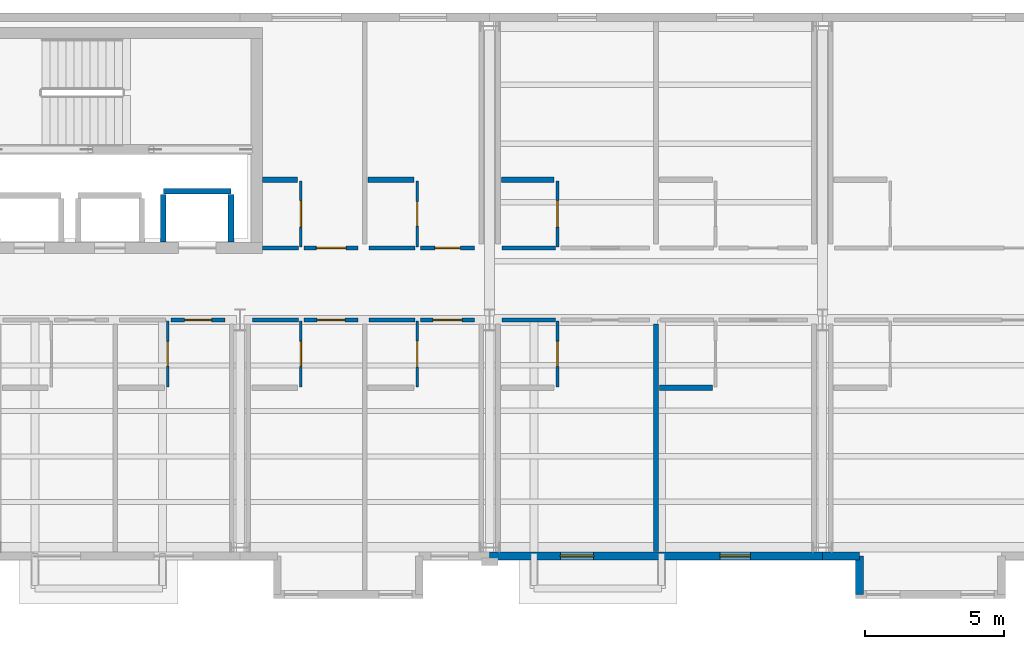
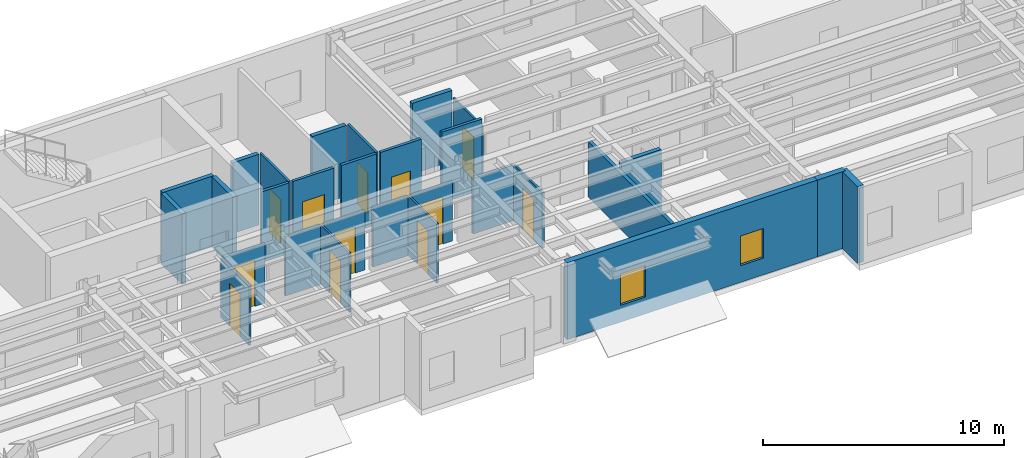
# One storey, part 30 of 46: 29 walls, 12 doors, 2 windows, 14 openings.
"""IFC4 building model written with IfcOpenShell, lengths in metres."""

from ifc_helpers import new_model, si_unit, direction, frame, frame_2d, origin, place, context, subcontext, project, spatial, rectangle, extrude, material, layer, layer_set, type_object, element, fill, save


model = new_model("IFC4")

# Units and contexts
model_context = context("Model", 3, precision=1e-05, world=origin(), true_north=direction((0.0, 1.0)))
body_context = subcontext(model_context, "Body", "Model", "MODEL_VIEW")
ifc_project = project(units=[si_unit("LENGTHUNIT", "METRE"), si_unit("AREAUNIT", "SQUARE_METRE"), si_unit("VOLUMEUNIT", "CUBIC_METRE"), si_unit("PLANEANGLEUNIT", "RADIAN"), si_unit("MASSUNIT", "GRAM", prefix="KILO")], contexts=[model_context])

# Site, building, storey
site_placement = place(None, origin())
site = spatial("IfcSite", under=ifc_project, at=site_placement, CompositionType="ELEMENT")
building_placement = place(site_placement, origin())
building = spatial("IfcBuilding", under=site, at=building_placement, Name="Sollismere Congress Hotel", CompositionType="ELEMENT")
storey_placement = place(building_placement, frame((0.0, 0.0, 19.5)))
storey = spatial("IfcBuildingStorey", under=building, at=storey_placement, Name="L04", CompositionType="ELEMENT", Elevation=19.5)

# Wall, openings, windows
ifc_material_1 = material(Name="Colorado Buff Sandstone Rainscreen on Insulated Backup", Category="masonry")
ifc_layer_1 = layer(ifc_material_1, 0.284912109375, Name="Colorado Buff Sandstone Rainscreen on Insulated Backup")
ifc_layer_set_1 = layer_set([ifc_layer_1], Name="Colorado Buff Sandstone Rainscreen on Insulated Backup")
wall_type_1 = type_object("IfcWallType", Name="WL-EXT285", PredefinedType="STANDARD", material=ifc_layer_set_1)
wall_1_placement = place(storey_placement, frame((112.0, -0.31005859375, 0.0), z_axis=(0.0, 0.0, 1.0), x_axis=(1.0, 0.0, 0.0)))
wall_1 = element("IfcWall", 1, at=wall_1_placement, inside=storey, type_object=wall_type_1, Name="Exterior wall EW-L04-503", PredefinedType="STANDARD", context=body_context, shape_type="SweptSolid", body=[
    extrude(rectangle(XDim=12.0, YDim=0.284912109375, at=frame_2d((6.0, 0.0))), origin(), (0.0, 0.0, 1.0), 3.89990234375),
])
opening_1_placement = place(wall_1_placement, frame((2.550048828125, 0.0, 0.85009765625)))
opening_1 = element("IfcOpeningElement", 2, at=opening_1_placement, cuts=wall_1, Name="Opening W-L04-385", PredefinedType="OPENING", context=body_context, shape_type="SweptSolid", body=[
    extrude(rectangle(XDim=1.199951171875, YDim=1.60009765625, at=frame_2d((0.60009765625, 0.800048828125))), frame((0.0, 0.15234375, 0.0), z_axis=(0.0, -1.0, 0.0), x_axis=(1.0, 0.0, 0.0)), (0.0, 0.0, 1.0), 0.304931640625),
])
opening_2_placement = place(wall_1_placement, frame((8.300048828125, 0.0, 0.85009765625)))
opening_2 = element("IfcOpeningElement", 3, at=opening_2_placement, cuts=wall_1, Name="Opening W-L04-386", PredefinedType="OPENING", context=body_context, shape_type="SweptSolid", body=[
    extrude(rectangle(XDim=1.10009765625, YDim=1.5, at=frame_2d((0.550048828125, 0.75))), frame((0.0, 0.15234375, 0.0), z_axis=(0.0, -1.0, 0.0), x_axis=(1.0, 0.0, 0.0)), (0.0, 0.0, 1.0), 0.304931640625),
])
ifc_material_2 = material(Name="Thermally Broken Bronze Aluminum & Low-E Glass", Category="aluminium")
window_type_1 = type_object("IfcWindowType", Name="WN-P110x150", PartitioningType="SINGLE_PANEL", PredefinedType="WINDOW", material=ifc_material_2)
window_1_placement = place(opening_2_placement, origin())
window_1 = element("IfcWindow", 4, at=window_1_placement, inside=storey, type_object=window_type_1, Name="WIN-W-L04-386", OverallHeight=1.5, OverallWidth=1.10009765625, PartitioningType="SINGLE_PANEL", PredefinedType="WINDOW", context=body_context, shape_type="SweptSolid", body=[
    extrude(rectangle(XDim=1.10009765625, YDim=1.5, at=frame_2d((0.550048828125, 0.75))), frame((0.0, 0.030029296875, 0.0), z_axis=(0.0, -1.0, 0.0), x_axis=(1.0, 0.0, 0.0)), (0.0, 0.0, 1.0), 0.06005859375),
])
fill(opening_2, window_1)
window_type_2 = type_object("IfcWindowType", Name="WN-P120x160", PartitioningType="SINGLE_PANEL", PredefinedType="WINDOW", material=ifc_material_2)
window_2_placement = place(opening_1_placement, origin())
window_2 = element("IfcWindow", 5, at=window_2_placement, inside=storey, type_object=window_type_2, Name="WIN-W-L04-385", OverallHeight=1.60009765625, OverallWidth=1.199951171875, PartitioningType="SINGLE_PANEL", PredefinedType="WINDOW", context=body_context, shape_type="SweptSolid", body=[
    extrude(rectangle(XDim=1.199951171875, YDim=1.60009765625, at=frame_2d((0.60009765625, 0.800048828125))), frame((0.0, 0.030029296875, 0.0), z_axis=(0.0, -1.0, 0.0), x_axis=(1.0, 0.0, 0.0)), (0.0, 0.0, 1.0), 0.06005859375),
])
fill(opening_1, window_2)

# Walls
wall_2_placement = place(storey_placement, frame((124.0, -0.31005859375, 0.0), z_axis=(0.0, 0.0, 1.0), x_axis=(1.0, 0.0, 0.0)))
element("IfcWall", 6, at=wall_2_placement, inside=storey, type_object=wall_type_1, Name="Exterior wall EW-L04-505", PredefinedType="STANDARD", context=body_context, shape_type="SweptSolid", body=[
    extrude(rectangle(XDim=1.340087890625, YDim=0.284912109375, at=frame_2d((0.669921875, 0.0))), origin(), (0.0, 0.0, 1.0), 3.89990234375),
])
wall_3_placement = place(storey_placement, frame((125.340087890625, -0.31005859375, 0.0), z_axis=(0.0, 0.0, 1.0), x_axis=(0.0, -1.0, 0.0)))
element("IfcWall", 7, at=wall_3_placement, inside=storey, type_object=wall_type_1, Name="Exterior wall EW-L04-508", PredefinedType="STANDARD", context=body_context, shape_type="SweptSolid", body=[
    extrude(rectangle(XDim=1.389892578125, YDim=0.284912109375, at=frame_2d((0.69482421875, 0.0))), origin(), (0.0, 0.0, 1.0), 3.89990234375),
])
ifc_material_3 = material(Name="Moisture-Resistant Shaft Gypsum Assembly")
ifc_layer_2 = layer(ifc_material_3, 0.199951171875, Name="Moisture-Resistant Shaft Gypsum Assembly")
ifc_layer_set_2 = layer_set([ifc_layer_2], Name="Moisture-Resistant Shaft Gypsum Assembly")
wall_type_2 = type_object("IfcWallType", Name="WL-PLM200", PredefinedType="PLUMBINGWALL", material=ifc_layer_set_2)
wall_4_placement = place(storey_placement, frame((100.22998046875, 12.844970703125, 0.0), z_axis=(0.0, 0.0, 1.0), x_axis=(1.0, 0.0, 0.0)))
element("IfcWall", 8, at=wall_4_placement, inside=storey, type_object=wall_type_2, Name="Interior wall IW-L04-0284", PredefinedType="PLUMBINGWALL", context=body_context, shape_type="SweptSolid", body=[
    extrude(rectangle(XDim=2.43994140625, YDim=0.199951171875, at=frame_2d((1.219970703125, 0.0))), origin(), (0.0, 0.0, 1.0), 3.5849609375),
])
for number, where, z_axis, x_axis, name in (
    (9, (100.22998046875, 11.011962890625, 0.0), (0.0, 0.0, 1.0), (0.0, 1.0, 0.0), "Interior wall IW-L04-0285"),
    (10, (102.669921875, 11.011962890625, 0.0), (0.0, 0.0, 1.0), (0.0, 1.0, 0.0), "Interior wall IW-L04-0286"),
):
    element("IfcWall", number, at=place(storey_placement, frame(where, z_axis=z_axis, x_axis=x_axis)), inside=storey, type_object=wall_type_2, Name=name, PredefinedType="PLUMBINGWALL", context=body_context, shape_type="SweptSolid", body=[
        extrude(rectangle(XDim=1.720947265625, YDim=0.199951171875, at=frame_2d((0.8603515625, 0.0))), origin(), (0.0, 0.0, 1.0), 3.5849609375),
    ])
wall_5_placement = place(storey_placement, frame((103.81201171875, 13.25, 0.0), z_axis=(0.0, 0.0, 1.0), x_axis=(1.0, 0.0, 0.0)))
element("IfcWall", 11, at=wall_5_placement, inside=storey, type_object=wall_type_2, Name="Interior wall IW-L04-1593", PredefinedType="PLUMBINGWALL", context=body_context, shape_type="SweptSolid", body=[
    extrude(rectangle(XDim=1.258056640625, YDim=0.199951171875, at=frame_2d((0.62890625, 0.0))), origin(), (0.0, 0.0, 1.0), 3.5849609375),
])
wall_6_placement = place(storey_placement, frame((107.6201171875, 13.25, 0.0), z_axis=(0.0, 0.0, 1.0), x_axis=(1.0, 0.0, 0.0)))
element("IfcWall", 12, at=wall_6_placement, inside=storey, type_object=wall_type_2, Name="Interior wall IW-L04-1598", PredefinedType="PLUMBINGWALL", context=body_context, shape_type="SweptSolid", body=[
    extrude(rectangle(XDim=1.64990234375, YDim=0.199951171875, at=frame_2d((0.824951171875, 0.0))), origin(), (0.0, 0.0, 1.0), 3.5849609375),
])
wall_7_placement = place(storey_placement, frame((118.1201171875, 5.75, 0.0), z_axis=(0.0, 0.0, 1.0), x_axis=(1.0, 0.0, 0.0)))
element("IfcWall", 13, at=wall_7_placement, inside=storey, type_object=wall_type_2, Name="Interior wall IW-L04-1609", PredefinedType="PLUMBINGWALL", context=body_context, shape_type="SweptSolid", body=[
    extrude(rectangle(XDim=1.909912109375, YDim=0.199951171875, at=frame_2d((0.955078125, 0.0))), origin(), (0.0, 0.0, 1.0), 3.137939453125),
])
wall_8_placement = place(storey_placement, frame((112.419921875, 13.25, 0.0), z_axis=(0.0, 0.0, 1.0), x_axis=(1.0, 0.0, 0.0)))
element("IfcWall", 14, at=wall_8_placement, inside=storey, type_object=wall_type_2, Name="Interior wall IW-L04-1615", PredefinedType="PLUMBINGWALL", context=body_context, shape_type="SweptSolid", body=[
    extrude(rectangle(XDim=1.91015625, YDim=0.199951171875, at=frame_2d((0.955078125, 0.0))), origin(), (0.0, 0.0, 1.0), 3.5849609375),
])

# Wall, opening, door
ifc_material_4 = material(Name="Moisture-Resistant Gypsum Partition")
ifc_layer_3 = layer(ifc_material_4, 0.10009765625, Name="Moisture-Resistant Gypsum Partition")
ifc_layer_set_3 = layer_set([ifc_layer_3], Name="Moisture-Resistant Gypsum Partition")
wall_type_3 = type_object("IfcWallType", Name="WL-PRT100", PredefinedType="PARTITIONING", material=ifc_layer_set_3)
wall_9_placement = place(storey_placement, frame((100.389892578125, 5.7900390625, 0.0), z_axis=(0.0, 0.0, 1.0), x_axis=(0.0, 1.0, 0.0)))
wall_9 = element("IfcWall", 15, at=wall_9_placement, inside=storey, type_object=wall_type_3, Name="Interior wall IW-L04-1576", PredefinedType="PARTITIONING", context=body_context, shape_type="SweptSolid", body=[
    extrude(rectangle(XDim=2.369873046875, YDim=0.10009765625, at=frame_2d((1.18505859375, 0.0))), origin(), (0.0, 0.0, 1.0), 2.998046875),
])
opening_3_placement = place(wall_9_placement, frame((0.7451171875, 0.0, 0.0)))
opening_3 = element("IfcOpeningElement", 16, at=opening_3_placement, cuts=wall_9, Name="Opening D-L04-0556", PredefinedType="OPENING", context=body_context, shape_type="SweptSolid", body=[
    extrude(rectangle(XDim=0.8798828125, YDim=2.179931640625, at=frame_2d((0.43994140625, 1.08984375))), frame((0.0, 0.06005859375, 0.0), z_axis=(0.0, -1.0, 0.0), x_axis=(1.0, 0.0, 0.0)), (0.0, 0.0, 1.0), 0.1201171875),
])
ifc_material_5 = material(Name="Moisture-Sealed Timber Bathroom Door", Category="wood")
door_type_1 = type_object("IfcDoorType", Name="DR-BT05", OperationType="NOTDEFINED", PredefinedType="DOOR", material=ifc_material_5)
door_1_placement = place(opening_3_placement, origin())
door_1 = element("IfcDoor", 17, at=door_1_placement, inside=storey, type_object=door_type_1, Name="En-suite bathroom door D-L04-0556", OperationType="SINGLE_SWING_LEFT", OverallHeight=2.179931640625, OverallWidth=0.8798828125, PredefinedType="DOOR", context=body_context, shape_type="SweptSolid", body=[
    extrude(rectangle(XDim=0.8798828125, YDim=2.179931640625, at=frame_2d((0.43994140625, 1.08984375))), frame((0.0, 0.02490234375, 0.0), z_axis=(0.0, -1.0, 0.0), x_axis=(1.0, 0.0, 0.0)), (0.0, 0.0, 1.0), 0.050048828125),
])
fill(opening_3, door_1)

wall_10_placement = place(storey_placement, frame((105.18994140625, 5.7900390625, 0.0), z_axis=(0.0, 0.0, 1.0), x_axis=(0.0, 1.0, 0.0)))
wall_10 = element("IfcWall", 18, at=wall_10_placement, inside=storey, type_object=wall_type_3, Name="Interior wall IW-L04-1582", PredefinedType="PARTITIONING", context=body_context, shape_type="SweptSolid", body=[
    extrude(rectangle(XDim=2.369873046875, YDim=0.10009765625, at=frame_2d((1.18505859375, 0.0))), origin(), (0.0, 0.0, 1.0), 2.998046875),
])
opening_4_placement = place(wall_10_placement, frame((0.73291015625, 0.0, 0.0)))
opening_4 = element("IfcOpeningElement", 19, at=opening_4_placement, cuts=wall_10, Name="Opening D-L04-0558", PredefinedType="OPENING", context=body_context, shape_type="SweptSolid", body=[
    extrude(rectangle(XDim=0.905029296875, YDim=2.179931640625, at=frame_2d((0.45263671875, 1.08984375))), frame((0.0, 0.06005859375, 0.0), z_axis=(0.0, -1.0, 0.0), x_axis=(1.0, 0.0, 0.0)), (0.0, 0.0, 1.0), 0.1201171875),
])
door_type_2 = type_object("IfcDoorType", Name="DR-BT06", OperationType="NOTDEFINED", PredefinedType="DOOR", material=ifc_material_5)
door_2_placement = place(opening_4_placement, origin())
door_2 = element("IfcDoor", 20, at=door_2_placement, inside=storey, type_object=door_type_2, Name="En-suite bathroom door D-L04-0558", OperationType="SINGLE_SWING_LEFT", OverallHeight=2.179931640625, OverallWidth=0.905029296875, PredefinedType="DOOR", context=body_context, shape_type="SweptSolid", body=[
    extrude(rectangle(XDim=0.905029296875, YDim=2.179931640625, at=frame_2d((0.45263671875, 1.08984375))), frame((0.0, 0.02490234375, 0.0), z_axis=(0.0, -1.0, 0.0), x_axis=(1.0, 0.0, 0.0)), (0.0, 0.0, 1.0), 0.050048828125),
])
fill(opening_4, door_2)

wall_11_placement = place(storey_placement, frame((109.389892578125, 5.7900390625, 0.0), z_axis=(0.0, 0.0, 1.0), x_axis=(0.0, 1.0, 0.0)))
wall_11 = element("IfcWall", 21, at=wall_11_placement, inside=storey, type_object=wall_type_3, Name="Interior wall IW-L04-1587", PredefinedType="PARTITIONING", context=body_context, shape_type="SweptSolid", body=[
    extrude(rectangle(XDim=2.369873046875, YDim=0.10009765625, at=frame_2d((1.18505859375, 0.0))), origin(), (0.0, 0.0, 1.0), 2.998046875),
])
opening_5_placement = place(wall_11_placement, frame((0.719970703125, 0.0, 0.0)))
opening_5 = element("IfcOpeningElement", 22, at=opening_5_placement, cuts=wall_11, Name="Opening D-L04-0560", PredefinedType="OPENING", context=body_context, shape_type="SweptSolid", body=[
    extrude(rectangle(XDim=0.929931640625, YDim=2.219970703125, at=frame_2d((0.46484375, 1.10986328125))), frame((0.0, 0.06005859375, 0.0), z_axis=(0.0, -1.0, 0.0), x_axis=(1.0, 0.0, 0.0)), (0.0, 0.0, 1.0), 0.1201171875),
])
door_type_3 = type_object("IfcDoorType", Name="DR-BT07", OperationType="NOTDEFINED", PredefinedType="DOOR", material=ifc_material_5)
door_3_placement = place(opening_5_placement, origin())
door_3 = element("IfcDoor", 23, at=door_3_placement, inside=storey, type_object=door_type_3, Name="En-suite bathroom door D-L04-0560", OperationType="SINGLE_SWING_LEFT", OverallHeight=2.219970703125, OverallWidth=0.929931640625, PredefinedType="DOOR", context=body_context, shape_type="SweptSolid", body=[
    extrude(rectangle(XDim=0.929931640625, YDim=2.219970703125, at=frame_2d((0.46484375, 1.10986328125))), frame((0.0, 0.02490234375, 0.0), z_axis=(0.0, -1.0, 0.0), x_axis=(1.0, 0.0, 0.0)), (0.0, 0.0, 1.0), 0.050048828125),
])
fill(opening_5, door_3)

wall_12_placement = place(storey_placement, frame((105.18994140625, 10.840087890625, 0.0), z_axis=(0.0, 0.0, 1.0), x_axis=(0.0, 1.0, 0.0)))
wall_12 = element("IfcWall", 24, at=wall_12_placement, inside=storey, type_object=wall_type_3, Name="Interior wall IW-L04-1592", PredefinedType="PARTITIONING", context=body_context, shape_type="SweptSolid", body=[
    extrude(rectangle(XDim=2.369873046875, YDim=0.10009765625, at=frame_2d((1.18505859375, 0.0))), origin(), (0.0, 0.0, 1.0), 3.5849609375),
])
opening_6_placement = place(wall_12_placement, frame((0.7080078125, 0.0, 0.0)))
opening_6 = element("IfcOpeningElement", 25, at=opening_6_placement, cuts=wall_12, Name="Opening D-L04-0562", PredefinedType="OPENING", context=body_context, shape_type="SweptSolid", body=[
    extrude(rectangle(XDim=0.955078125, YDim=2.219970703125, at=frame_2d((0.4775390625, 1.10986328125))), frame((0.0, 0.06005859375, 0.0), z_axis=(0.0, -1.0, 0.0), x_axis=(1.0, 0.0, 0.0)), (0.0, 0.0, 1.0), 0.1201171875),
])
door_type_4 = type_object("IfcDoorType", Name="DR-BT08", OperationType="NOTDEFINED", PredefinedType="DOOR", material=ifc_material_5)
door_4_placement = place(opening_6_placement, origin())
door_4 = element("IfcDoor", 26, at=door_4_placement, inside=storey, type_object=door_type_4, Name="En-suite bathroom door D-L04-0562", OperationType="SINGLE_SWING_LEFT", OverallHeight=2.219970703125, OverallWidth=0.955078125, PredefinedType="DOOR", context=body_context, shape_type="SweptSolid", body=[
    extrude(rectangle(XDim=0.955078125, YDim=2.219970703125, at=frame_2d((0.4775390625, 1.10986328125))), frame((0.0, 0.02490234375, 0.0), z_axis=(0.0, -1.0, 0.0), x_axis=(1.0, 0.0, 0.0)), (0.0, 0.0, 1.0), 0.050048828125),
])
fill(opening_6, door_4)

wall_13_placement = place(storey_placement, frame((109.389892578125, 10.840087890625, 0.0), z_axis=(0.0, 0.0, 1.0), x_axis=(0.0, 1.0, 0.0)))
wall_13 = element("IfcWall", 27, at=wall_13_placement, inside=storey, type_object=wall_type_3, Name="Interior wall IW-L04-1597", PredefinedType="PARTITIONING", context=body_context, shape_type="SweptSolid", body=[
    extrude(rectangle(XDim=2.369873046875, YDim=0.10009765625, at=frame_2d((1.18505859375, 0.0))), origin(), (0.0, 0.0, 1.0), 3.5849609375),
])
opening_7_placement = place(wall_13_placement, frame((0.7451171875, 0.0, 0.0)))
opening_7 = element("IfcOpeningElement", 28, at=opening_7_placement, cuts=wall_13, Name="Opening D-L04-0564", PredefinedType="OPENING", context=body_context, shape_type="SweptSolid", body=[
    extrude(rectangle(XDim=0.8798828125, YDim=2.10009765625, at=frame_2d((0.43994140625, 1.050048828125))), frame((0.0, 0.06005859375, 0.0), z_axis=(0.0, -1.0, 0.0), x_axis=(1.0, 0.0, 0.0)), (0.0, 0.0, 1.0), 0.1201171875),
])
door_type_5 = type_object("IfcDoorType", Name="DR-BT01", OperationType="NOTDEFINED", PredefinedType="DOOR", material=ifc_material_5)
door_5_placement = place(opening_7_placement, origin())
door_5 = element("IfcDoor", 29, at=door_5_placement, inside=storey, type_object=door_type_5, Name="En-suite bathroom door D-L04-0564", OperationType="SINGLE_SWING_LEFT", OverallHeight=2.10009765625, OverallWidth=0.8798828125, PredefinedType="DOOR", context=body_context, shape_type="SweptSolid", body=[
    extrude(rectangle(XDim=0.8798828125, YDim=2.10009765625, at=frame_2d((0.43994140625, 1.050048828125))), frame((0.0, 0.02490234375, 0.0), z_axis=(0.0, -1.0, 0.0), x_axis=(1.0, 0.0, 0.0)), (0.0, 0.0, 1.0), 0.050048828125),
])
fill(opening_7, door_5)

wall_14_placement = place(storey_placement, frame((114.449951171875, 5.7900390625, 0.0), z_axis=(0.0, 0.0, 1.0), x_axis=(0.0, 1.0, 0.0)))
wall_14 = element("IfcWall", 30, at=wall_14_placement, inside=storey, type_object=wall_type_3, Name="Interior wall IW-L04-1603", PredefinedType="PARTITIONING", context=body_context, shape_type="SweptSolid", body=[
    extrude(rectangle(XDim=2.369873046875, YDim=0.10009765625, at=frame_2d((1.18505859375, 0.0))), origin(), (0.0, 0.0, 1.0), 2.822998046875),
])
opening_8_placement = place(wall_14_placement, frame((0.73291015625, 0.0, 0.0)))
opening_8 = element("IfcOpeningElement", 31, at=opening_8_placement, cuts=wall_14, Name="Opening D-L04-0566", PredefinedType="OPENING", context=body_context, shape_type="SweptSolid", body=[
    extrude(rectangle(XDim=0.905029296875, YDim=2.10009765625, at=frame_2d((0.45263671875, 1.050048828125))), frame((0.0, 0.06005859375, 0.0), z_axis=(0.0, -1.0, 0.0), x_axis=(1.0, 0.0, 0.0)), (0.0, 0.0, 1.0), 0.1201171875),
])
door_type_6 = type_object("IfcDoorType", Name="DR-BT02", OperationType="NOTDEFINED", PredefinedType="DOOR", material=ifc_material_5)
door_6_placement = place(opening_8_placement, origin())
door_6 = element("IfcDoor", 32, at=door_6_placement, inside=storey, type_object=door_type_6, Name="En-suite bathroom door D-L04-0566", OperationType="SINGLE_SWING_LEFT", OverallHeight=2.10009765625, OverallWidth=0.905029296875, PredefinedType="DOOR", context=body_context, shape_type="SweptSolid", body=[
    extrude(rectangle(XDim=0.905029296875, YDim=2.10009765625, at=frame_2d((0.45263671875, 1.050048828125))), frame((0.0, 0.02490234375, 0.0), z_axis=(0.0, -1.0, 0.0), x_axis=(1.0, 0.0, 0.0)), (0.0, 0.0, 1.0), 0.050048828125),
])
fill(opening_8, door_6)

wall_15_placement = place(storey_placement, frame((114.449951171875, 10.840087890625, 0.0), z_axis=(0.0, 0.0, 1.0), x_axis=(0.0, 1.0, 0.0)))
wall_15 = element("IfcWall", 33, at=wall_15_placement, inside=storey, type_object=wall_type_3, Name="Interior wall IW-L04-1614", PredefinedType="PARTITIONING", context=body_context, shape_type="SweptSolid", body=[
    extrude(rectangle(XDim=2.369873046875, YDim=0.10009765625, at=frame_2d((1.18505859375, 0.0))), origin(), (0.0, 0.0, 1.0), 3.14306640625),
])
opening_9_placement = place(wall_15_placement, frame((0.7080078125, 0.0, 0.0)))
opening_9 = element("IfcOpeningElement", 34, at=opening_9_placement, cuts=wall_15, Name="Opening D-L04-0570", PredefinedType="OPENING", context=body_context, shape_type="SweptSolid", body=[
    extrude(rectangle(XDim=0.955078125, YDim=2.139892578125, at=frame_2d((0.4775390625, 1.06982421875))), frame((0.0, 0.06005859375, 0.0), z_axis=(0.0, -1.0, 0.0), x_axis=(1.0, 0.0, 0.0)), (0.0, 0.0, 1.0), 0.1201171875),
])
door_type_7 = type_object("IfcDoorType", Name="DR-BT04", OperationType="NOTDEFINED", PredefinedType="DOOR", material=ifc_material_5)
door_7_placement = place(opening_9_placement, origin())
door_7 = element("IfcDoor", 35, at=door_7_placement, inside=storey, type_object=door_type_7, Name="En-suite bathroom door D-L04-0570", OperationType="SINGLE_SWING_LEFT", OverallHeight=2.139892578125, OverallWidth=0.955078125, PredefinedType="DOOR", context=body_context, shape_type="SweptSolid", body=[
    extrude(rectangle(XDim=0.955078125, YDim=2.139892578125, at=frame_2d((0.4775390625, 1.06982421875))), frame((0.0, 0.02490234375, 0.0), z_axis=(0.0, -1.0, 0.0), x_axis=(1.0, 0.0, 0.0)), (0.0, 0.0, 1.0), 0.050048828125),
])
fill(opening_9, door_7)

ifc_material_6 = material(Name="Fire-Rated Gypsum Partition")
ifc_layer_4 = layer(ifc_material_6, 0.139892578125, Name="Fire-Rated Gypsum Partition")
ifc_layer_set_4 = layer_set([ifc_layer_4], Name="Fire-Rated Gypsum Partition")
wall_type_4 = type_object("IfcWallType", Name="WL-PRT140R", PredefinedType="PARTITIONING", material=ifc_layer_set_4)
wall_16_placement = place(storey_placement, frame((100.510009765625, 8.199951171875, 0.0), z_axis=(0.0, 0.0, 1.0), x_axis=(1.0, 0.0, 0.0)))
wall_16 = element("IfcWall", 36, at=wall_16_placement, inside=storey, type_object=wall_type_4, Name="Interior wall IW-L04-1574", PredefinedType="PARTITIONING", context=body_context, shape_type="SweptSolid", body=[
    extrude(rectangle(XDim=1.949951171875, YDim=0.139892578125, at=frame_2d((0.97509765625, 0.0))), origin(), (0.0, 0.0, 1.0), 2.998046875),
])
opening_10_placement = place(wall_16_placement, frame((0.485107421875, 0.0, 0.0)))
opening_10 = element("IfcOpeningElement", 37, at=opening_10_placement, cuts=wall_16, Name="Opening D-L04-0555", PredefinedType="OPENING", context=body_context, shape_type="SweptSolid", body=[
    extrude(rectangle(XDim=0.97998046875, YDim=2.35009765625, at=frame_2d((0.489990234375, 1.175048828125))), frame((0.0, 0.079833984375, 0.0), z_axis=(0.0, -1.0, 0.0), x_axis=(1.0, 0.0, 0.0)), (0.0, 0.0, 1.0), 0.159912109375),
])
ifc_material_7 = material(Name="Solid-Core Acoustic Walnut Guestroom Entry Door")
door_type_8 = type_object("IfcDoorType", Name="DR-KY09", OperationType="NOTDEFINED", PredefinedType="DOOR", material=ifc_material_7)
door_8_placement = place(opening_10_placement, origin())
door_8 = element("IfcDoor", 38, at=door_8_placement, inside=storey, type_object=door_type_8, Name="Hotel room entry door D-L04-0555", OperationType="SINGLE_SWING_RIGHT", OverallHeight=2.35009765625, OverallWidth=0.97998046875, PredefinedType="DOOR", context=body_context, shape_type="SweptSolid", body=[
    extrude(rectangle(XDim=0.97998046875, YDim=2.35009765625, at=frame_2d((0.489990234375, 1.175048828125))), frame((0.0, 0.02490234375, 0.0), z_axis=(0.0, -1.0, 0.0), x_axis=(1.0, 0.0, 0.0)), (0.0, 0.0, 1.0), 0.050048828125),
])
fill(opening_10, door_8)

# Wall
wall_17_placement = place(storey_placement, frame((103.43994140625, 8.199951171875, 0.0), z_axis=(0.0, 0.0, 1.0), x_axis=(1.0, 0.0, 0.0)))
element("IfcWall", 39, at=wall_17_placement, inside=storey, type_object=wall_type_4, Name="Interior wall IW-L04-1578", PredefinedType="PARTITIONING", context=body_context, shape_type="SweptSolid", body=[
    extrude(rectangle(XDim=1.670166015625, YDim=0.139892578125, at=frame_2d((0.8349609375, 0.0))), origin(), (0.0, 0.0, 1.0), 2.998046875),
])

# Wall, opening, door
wall_18_placement = place(storey_placement, frame((105.31005859375, 8.199951171875, 0.0), z_axis=(0.0, 0.0, 1.0), x_axis=(1.0, 0.0, 0.0)))
wall_18 = element("IfcWall", 40, at=wall_18_placement, inside=storey, type_object=wall_type_4, Name="Interior wall IW-L04-1579", PredefinedType="PARTITIONING", context=body_context, shape_type="SweptSolid", body=[
    extrude(rectangle(XDim=1.949951171875, YDim=0.139892578125, at=frame_2d((0.97509765625, 0.0))), origin(), (0.0, 0.0, 1.0), 2.998046875),
])
opening_11_placement = place(wall_18_placement, frame((0.469970703125, 0.0, 0.0)))
opening_11 = element("IfcOpeningElement", 41, at=opening_11_placement, cuts=wall_18, Name="Opening D-L04-0557", PredefinedType="OPENING", context=body_context, shape_type="SweptSolid", body=[
    extrude(rectangle(XDim=1.010009765625, YDim=2.35009765625, at=frame_2d((0.5048828125, 1.175048828125))), frame((0.0, 0.079833984375, 0.0), z_axis=(0.0, -1.0, 0.0), x_axis=(1.0, 0.0, 0.0)), (0.0, 0.0, 1.0), 0.159912109375),
])
door_type_9 = type_object("IfcDoorType", Name="DR-KY10", OperationType="NOTDEFINED", PredefinedType="DOOR", material=ifc_material_7)
door_9_placement = place(opening_11_placement, origin())
door_9 = element("IfcDoor", 42, at=door_9_placement, inside=storey, type_object=door_type_9, Name="Hotel room entry door D-L04-0557", OperationType="SINGLE_SWING_RIGHT", OverallHeight=2.35009765625, OverallWidth=1.010009765625, PredefinedType="DOOR", context=body_context, shape_type="SweptSolid", body=[
    extrude(rectangle(XDim=1.010009765625, YDim=2.35009765625, at=frame_2d((0.5048828125, 1.175048828125))), frame((0.0, 0.02490234375, 0.0), z_axis=(0.0, -1.0, 0.0), x_axis=(1.0, 0.0, 0.0)), (0.0, 0.0, 1.0), 0.050048828125),
])
fill(opening_11, door_9)

# Wall
wall_19_placement = place(storey_placement, frame((107.639892578125, 8.199951171875, 0.0), z_axis=(0.0, 0.0, 1.0), x_axis=(1.0, 0.0, 0.0)))
element("IfcWall", 43, at=wall_19_placement, inside=storey, type_object=wall_type_4, Name="Interior wall IW-L04-1584", PredefinedType="PARTITIONING", context=body_context, shape_type="SweptSolid", body=[
    extrude(rectangle(XDim=1.670166015625, YDim=0.139892578125, at=frame_2d((0.8349609375, 0.0))), origin(), (0.0, 0.0, 1.0), 2.998046875),
])

# Wall, opening, door
wall_20_placement = place(storey_placement, frame((109.510009765625, 8.199951171875, 0.0), z_axis=(0.0, 0.0, 1.0), x_axis=(1.0, 0.0, 0.0)))
wall_20 = element("IfcWall", 44, at=wall_20_placement, inside=storey, type_object=wall_type_4, Name="Interior wall IW-L04-1585", PredefinedType="PARTITIONING", context=body_context, shape_type="SweptSolid", body=[
    extrude(rectangle(XDim=1.949951171875, YDim=0.139892578125, at=frame_2d((0.97509765625, 0.0))), origin(), (0.0, 0.0, 1.0), 2.998046875),
])
opening_12_placement = place(wall_20_placement, frame((0.455078125, 0.0, 0.0)))
opening_12 = element("IfcOpeningElement", 45, at=opening_12_placement, cuts=wall_20, Name="Opening D-L04-0559", PredefinedType="OPENING", context=body_context, shape_type="SweptSolid", body=[
    extrude(rectangle(XDim=1.0400390625, YDim=2.39990234375, at=frame_2d((0.52001953125, 1.199951171875))), frame((0.0, 0.079833984375, 0.0), z_axis=(0.0, -1.0, 0.0), x_axis=(1.0, 0.0, 0.0)), (0.0, 0.0, 1.0), 0.159912109375),
])
door_type_10 = type_object("IfcDoorType", Name="DR-KY11", OperationType="NOTDEFINED", PredefinedType="DOOR", material=ifc_material_7)
door_10_placement = place(opening_12_placement, origin())
door_10 = element("IfcDoor", 46, at=door_10_placement, inside=storey, type_object=door_type_10, Name="Hotel room entry door D-L04-0559", OperationType="SINGLE_SWING_RIGHT", OverallHeight=2.39990234375, OverallWidth=1.0400390625, PredefinedType="DOOR", context=body_context, shape_type="SweptSolid", body=[
    extrude(rectangle(XDim=1.0400390625, YDim=2.39990234375, at=frame_2d((0.52001953125, 1.199951171875))), frame((0.0, 0.02490234375, 0.0), z_axis=(0.0, -1.0, 0.0), x_axis=(1.0, 0.0, 0.0)), (0.0, 0.0, 1.0), 0.050048828125),
])
fill(opening_12, door_10)

# Wall
wall_21_placement = place(storey_placement, frame((103.800048828125, 10.800048828125, 0.0), z_axis=(0.0, 0.0, 1.0), x_axis=(1.0, 0.0, 0.0)))
element("IfcWall", 47, at=wall_21_placement, inside=storey, type_object=wall_type_4, Name="Interior wall IW-L04-1589", PredefinedType="PARTITIONING", context=body_context, shape_type="SweptSolid", body=[
    extrude(rectangle(XDim=1.31005859375, YDim=0.139892578125, at=frame_2d((0.655029296875, 0.0))), origin(), (0.0, 0.0, 1.0), 3.5849609375),
])

# Wall, opening, door
wall_22_placement = place(storey_placement, frame((105.31005859375, 10.800048828125, 0.0), z_axis=(0.0, 0.0, 1.0), x_axis=(1.0, 0.0, 0.0)))
wall_22 = element("IfcWall", 48, at=wall_22_placement, inside=storey, type_object=wall_type_4, Name="Interior wall IW-L04-1590", PredefinedType="PARTITIONING", context=body_context, shape_type="SweptSolid", body=[
    extrude(rectangle(XDim=1.949951171875, YDim=0.139892578125, at=frame_2d((0.97509765625, 0.0))), origin(), (0.0, 0.0, 1.0), 3.5849609375),
])
opening_13_placement = place(wall_22_placement, frame((0.43994140625, 0.0, 0.0)))
opening_13 = element("IfcOpeningElement", 49, at=opening_13_placement, cuts=wall_22, Name="Opening D-L04-0561", PredefinedType="OPENING", context=body_context, shape_type="SweptSolid", body=[
    extrude(rectangle(XDim=1.070068359375, YDim=2.39990234375, at=frame_2d((0.53515625, 1.199951171875))), frame((0.0, 0.079833984375, 0.0), z_axis=(0.0, -1.0, 0.0), x_axis=(1.0, 0.0, 0.0)), (0.0, 0.0, 1.0), 0.159912109375),
])
door_type_11 = type_object("IfcDoorType", Name="DR-KY12", OperationType="NOTDEFINED", PredefinedType="DOOR", material=ifc_material_7)
door_11_placement = place(opening_13_placement, origin())
door_11 = element("IfcDoor", 50, at=door_11_placement, inside=storey, type_object=door_type_11, Name="Hotel room entry door D-L04-0561", OperationType="SINGLE_SWING_RIGHT", OverallHeight=2.39990234375, OverallWidth=1.070068359375, PredefinedType="DOOR", context=body_context, shape_type="SweptSolid", body=[
    extrude(rectangle(XDim=1.070068359375, YDim=2.39990234375, at=frame_2d((0.53515625, 1.199951171875))), frame((0.0, 0.02490234375, 0.0), z_axis=(0.0, -1.0, 0.0), x_axis=(1.0, 0.0, 0.0)), (0.0, 0.0, 1.0), 0.050048828125),
])
fill(opening_13, door_11)

# Wall
wall_23_placement = place(storey_placement, frame((107.639892578125, 10.800048828125, 0.0), z_axis=(0.0, 0.0, 1.0), x_axis=(1.0, 0.0, 0.0)))
element("IfcWall", 51, at=wall_23_placement, inside=storey, type_object=wall_type_4, Name="Interior wall IW-L04-1594", PredefinedType="PARTITIONING", context=body_context, shape_type="SweptSolid", body=[
    extrude(rectangle(XDim=1.670166015625, YDim=0.139892578125, at=frame_2d((0.8349609375, 0.0))), origin(), (0.0, 0.0, 1.0), 3.5849609375),
])

# Wall, opening, door
wall_24_placement = place(storey_placement, frame((109.510009765625, 10.800048828125, 0.0), z_axis=(0.0, 0.0, 1.0), x_axis=(1.0, 0.0, 0.0)))
wall_24 = element("IfcWall", 52, at=wall_24_placement, inside=storey, type_object=wall_type_4, Name="Interior wall IW-L04-1595", PredefinedType="PARTITIONING", context=body_context, shape_type="SweptSolid", body=[
    extrude(rectangle(XDim=1.949951171875, YDim=0.139892578125, at=frame_2d((0.97509765625, 0.0))), origin(), (0.0, 0.0, 1.0), 3.5849609375),
])
opening_14_placement = place(wall_24_placement, frame((0.514892578125, 0.0, 0.0)))
opening_14 = element("IfcOpeningElement", 53, at=opening_14_placement, cuts=wall_24, Name="Opening D-L04-0563", PredefinedType="OPENING", context=body_context, shape_type="SweptSolid", body=[
    extrude(rectangle(XDim=0.919921875, YDim=2.14990234375, at=frame_2d((0.4599609375, 1.074951171875))), frame((0.0, 0.079833984375, 0.0), z_axis=(0.0, -1.0, 0.0), x_axis=(1.0, 0.0, 0.0)), (0.0, 0.0, 1.0), 0.159912109375),
])
door_type_12 = type_object("IfcDoorType", Name="DR-KY01", OperationType="NOTDEFINED", PredefinedType="DOOR", material=ifc_material_7)
door_12_placement = place(opening_14_placement, origin())
door_12 = element("IfcDoor", 54, at=door_12_placement, inside=storey, type_object=door_type_12, Name="Hotel room entry door D-L04-0563", OperationType="SINGLE_SWING_RIGHT", OverallHeight=2.14990234375, OverallWidth=0.919921875, PredefinedType="DOOR", context=body_context, shape_type="SweptSolid", body=[
    extrude(rectangle(XDim=0.919921875, YDim=2.14990234375, at=frame_2d((0.4599609375, 1.074951171875))), frame((0.0, 0.02490234375, 0.0), z_axis=(0.0, -1.0, 0.0), x_axis=(1.0, 0.0, 0.0)), (0.0, 0.0, 1.0), 0.050048828125),
])
fill(opening_14, door_12)

# Walls
wall_25_placement = place(storey_placement, frame((112.43994140625, 8.199951171875, 0.0), z_axis=(0.0, 0.0, 1.0), x_axis=(1.0, 0.0, 0.0)))
element("IfcWall", 55, at=wall_25_placement, inside=storey, type_object=wall_type_4, Name="Interior wall IW-L04-1599", PredefinedType="PARTITIONING", context=body_context, shape_type="SweptSolid", body=[
    extrude(rectangle(XDim=1.93017578125, YDim=0.139892578125, at=frame_2d((0.965087890625, 0.0))), origin(), (0.0, 0.0, 1.0), 2.822998046875),
])
wall_26_placement = place(storey_placement, frame((112.43994140625, 10.800048828125, 0.0), z_axis=(0.0, 0.0, 1.0), x_axis=(1.0, 0.0, 0.0)))
element("IfcWall", 56, at=wall_26_placement, inside=storey, type_object=wall_type_4, Name="Interior wall IW-L04-1610", PredefinedType="PARTITIONING", context=body_context, shape_type="SweptSolid", body=[
    extrude(rectangle(XDim=1.93017578125, YDim=0.139892578125, at=frame_2d((0.965087890625, 0.0))), origin(), (0.0, 0.0, 1.0), 3.5849609375),
])
ifc_material_8 = material(Name="Fire-Rated Acoustic Gypsum Partition")
ifc_layer_5 = layer(ifc_material_8, 0.1650390625, Name="Fire-Rated Acoustic Gypsum Partition")
ifc_layer_set_5 = layer_set([ifc_layer_5], Name="Fire-Rated Acoustic Gypsum Partition")
wall_type_5 = type_object("IfcWallType", Name="WL-PRT165R", PredefinedType="PARTITIONING", material=ifc_layer_set_5)
wall_27_placement = place(storey_placement, frame((118.0, -0.152587890625, 0.0), z_axis=(0.0, 0.0, 1.0), x_axis=(0.0, 1.0, 0.0)))
element("IfcWall", 57, at=wall_27_placement, inside=storey, type_object=wall_type_5, Name="Interior wall IW-L04-1602", PredefinedType="PARTITIONING", context=body_context, shape_type="SweptSolid", body=[
    extrude(rectangle(XDim=8.212646484375, YDim=0.1650390625, at=frame_2d((4.1064453125, 0.0))), origin(), (0.0, 0.0, 1.0), 2.822998046875),
])

save(model, "model.ifc")
